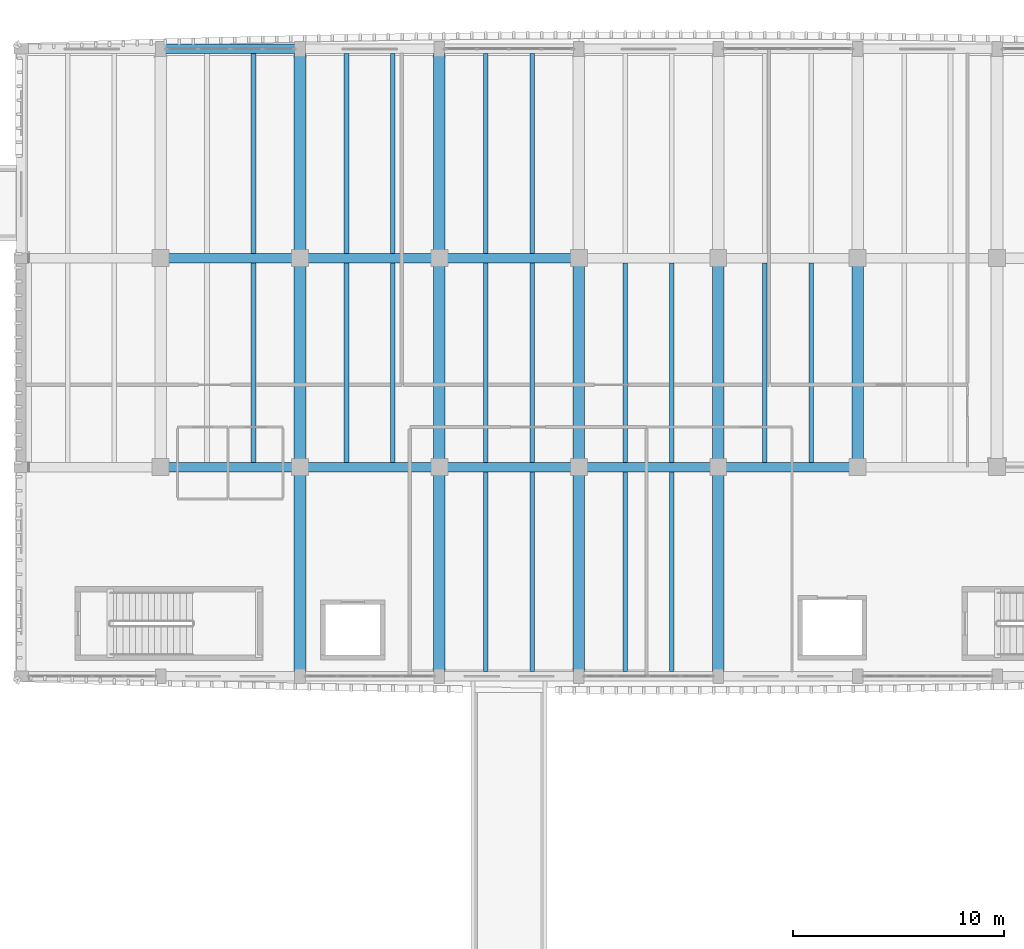
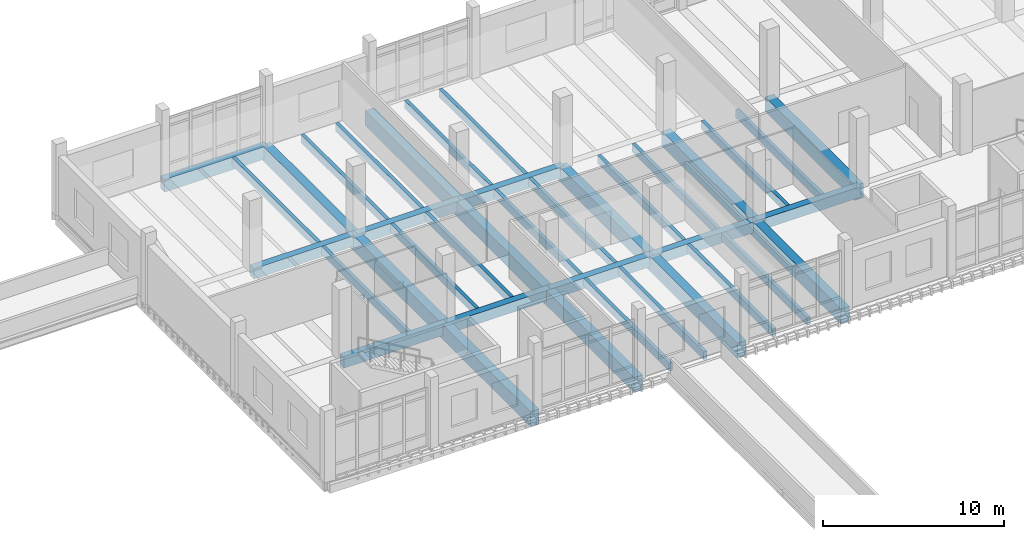
# One storey, part 43 of 101: 38 beams.
"""IFC4 building model written with IfcOpenShell, lengths in metres."""

from ifc_helpers import new_model, si_unit, direction, frame, origin, origin_2d, place, context, subcontext, project, spatial, rectangle, extrude, material, material_profile, profile_set, type_object, element, save


model = new_model("IFC4")

# Units and contexts
model_context = context("Model", 3, precision=1e-05, world=origin(), true_north=direction((0.0, 1.0)))
body_context = subcontext(model_context, "Body", "Model", "MODEL_VIEW")
ifc_project = project(units=[si_unit("LENGTHUNIT", "METRE"), si_unit("AREAUNIT", "SQUARE_METRE"), si_unit("VOLUMEUNIT", "CUBIC_METRE"), si_unit("PLANEANGLEUNIT", "RADIAN"), si_unit("MASSUNIT", "GRAM", prefix="KILO")], contexts=[model_context])

# Site, building, storey
site_placement = place(None, origin())
site = spatial("IfcSite", under=ifc_project, at=site_placement, CompositionType="ELEMENT")
building_placement = place(site_placement, origin())
building = spatial("IfcBuilding", under=site, at=building_placement, Name="Dornvale Research Institute", CompositionType="ELEMENT")
storey_placement = place(building_placement, frame((0.0, 0.0, 10.199951171875)))
storey = spatial("IfcBuildingStorey", under=building, at=storey_placement, Name="L02", CompositionType="ELEMENT", Elevation=10.199951171875)

# Beams
ifc_material_1 = material(Name="Concrete f'c 45 MPa (C35/45)", Category="concrete")
ifc_material_profile_1 = material_profile(ifc_material_1, rectangle(XDim=0.449951171875, YDim=0.715087890625, at=origin_2d()), Name="RC 450x715")
ifc_profile_set_1 = profile_set([ifc_material_profile_1], Name="Concrete f'c 45 MPa (C35/45)")
beam_type_1 = type_object("IfcBeamType", Name="Beam_RC450x715_Lab", PredefinedType="BEAM", material=ifc_profile_set_1)
for number, where, z_axis, x_axis, name in (
    (1, (125.39990234375, 102.300048828125, -0.357421875), (1.0, 0.0, 0.0), (0.0, 1.0, 0.0), "L02 primary girder #645"),
    (2, (132.0, 102.300048828125, -0.357421875), (1.0, 0.0, 0.0), (0.0, 1.0, 0.0), "L02 primary girder #646"),
):
    element("IfcBeam", number, at=place(storey_placement, frame(where, z_axis=z_axis, x_axis=x_axis)), inside=storey, type_object=beam_type_1, Name=name, PredefinedType="BEAM", context=body_context, shape_type="SweptSolid", body=[
        extrude(rectangle(XDim=0.449951171875, YDim=0.715087890625, at=origin_2d()), origin(), (0.0, 0.0, 1.0), 6.60009765625),
    ])
beam_1_placement = place(storey_placement, frame((138.60009765625, 102.300048828125, -0.357421875), z_axis=(1.0, 0.0, 0.0), x_axis=(0.0, 1.0, 0.0)))
element("IfcBeam", 3, at=beam_1_placement, inside=storey, type_object=beam_type_1, Name="L02 primary girder #647", PredefinedType="BEAM", context=body_context, shape_type="SweptSolid", body=[
    extrude(rectangle(XDim=0.449951171875, YDim=0.715087890625, at=origin_2d()), origin(), (0.0, 0.0, 1.0), 6.599853515625),
])
beam_2_placement = place(storey_placement, frame((145.199951171875, 102.300048828125, -0.357421875), z_axis=(1.0, 0.0, 0.0), x_axis=(0.0, 1.0, 0.0)))
element("IfcBeam", 4, at=beam_2_placement, inside=storey, type_object=beam_type_1, Name="L02 primary girder #648", PredefinedType="BEAM", context=body_context, shape_type="SweptSolid", body=[
    extrude(rectangle(XDim=0.449951171875, YDim=0.715087890625, at=origin_2d()), origin(), (0.0, 0.0, 1.0), 6.60009765625),
])
beam_3_placement = place(storey_placement, frame((151.800048828125, 102.300048828125, -0.357421875), z_axis=(1.0, 0.0, 0.0), x_axis=(0.0, 1.0, 0.0)))
element("IfcBeam", 5, at=beam_3_placement, inside=storey, type_object=beam_type_1, Name="L02 primary girder #649", PredefinedType="BEAM", context=body_context, shape_type="SweptSolid", body=[
    extrude(rectangle(XDim=0.449951171875, YDim=0.715087890625, at=origin_2d()), origin(), (0.0, 0.0, 1.0), 6.599853515625),
])
for number, where, z_axis, x_axis, name in (
    (6, (125.39990234375, 112.199951171875, -0.357421875), (1.0, 0.0, 0.0), (0.0, 1.0, 0.0), "L02 primary girder #654"),
    (7, (132.0, 112.199951171875, -0.357421875), (1.0, 0.0, 0.0), (0.0, 1.0, 0.0), "L02 primary girder #655"),
):
    element("IfcBeam", number, at=place(storey_placement, frame(where, z_axis=z_axis, x_axis=x_axis)), inside=storey, type_object=beam_type_1, Name=name, PredefinedType="BEAM", context=body_context, shape_type="SweptSolid", body=[
        extrude(rectangle(XDim=0.449951171875, YDim=0.715087890625, at=origin_2d()), origin(), (0.0, 0.0, 1.0), 6.60009765625),
    ])
beam_4_placement = place(storey_placement, frame((138.60009765625, 112.199951171875, -0.357421875), z_axis=(1.0, 0.0, 0.0), x_axis=(0.0, 1.0, 0.0)))
element("IfcBeam", 8, at=beam_4_placement, inside=storey, type_object=beam_type_1, Name="L02 primary girder #656", PredefinedType="BEAM", context=body_context, shape_type="SweptSolid", body=[
    extrude(rectangle(XDim=0.449951171875, YDim=0.715087890625, at=origin_2d()), origin(), (0.0, 0.0, 1.0), 6.599853515625),
])
ifc_material_2 = material(Name="Concrete f'c 45 MPa (C35/45)", Category="concrete")
ifc_material_profile_2 = material_profile(ifc_material_2, rectangle(XDim=0.550048828125, YDim=1.0, at=origin_2d()), Name="RC 550x1000")
ifc_profile_set_2 = profile_set([ifc_material_profile_2], Name="Concrete f'c 45 MPa (C35/45)")
beam_type_2 = type_object("IfcBeamType", Name="Beam_RC550x1000_Girder", PredefinedType="BEAM", material=ifc_profile_set_2)
beam_5_placement = place(storey_placement, frame((132.0, 92.39990234375, -0.5), z_axis=(0.0, 1.0, 0.0), x_axis=(-1.0, 0.0, 0.0)))
element("IfcBeam", 9, at=beam_5_placement, inside=storey, type_object=beam_type_2, Name="L02 transverse girder #676", PredefinedType="BEAM", context=body_context, shape_type="SweptSolid", body=[
    extrude(rectangle(XDim=0.550048828125, YDim=1.0, at=origin_2d()), origin(), (0.0, 0.0, 1.0), 9.900146484375),
])
beam_6_placement = place(storey_placement, frame((132.0, 102.300048828125, -0.5), z_axis=(0.0, 1.0, 0.0), x_axis=(-1.0, 0.0, 0.0)))
element("IfcBeam", 10, at=beam_6_placement, inside=storey, type_object=beam_type_2, Name="L02 transverse girder #677", PredefinedType="BEAM", context=body_context, shape_type="SweptSolid", body=[
    extrude(rectangle(XDim=0.550048828125, YDim=1.0, at=origin_2d()), origin(), (0.0, 0.0, 1.0), 9.89990234375),
])
for number, where, z_axis, x_axis, name in (
    (11, (132.0, 112.199951171875, -0.5), (0.0, 1.0, 0.0), (-1.0, 0.0, 0.0), "L02 transverse girder #678"),
    (12, (138.60009765625, 92.39990234375, -0.5), (0.0, 1.0, 0.0), (-1.0, 0.0, 0.0), "L02 transverse girder #679"),
):
    element("IfcBeam", number, at=place(storey_placement, frame(where, z_axis=z_axis, x_axis=x_axis)), inside=storey, type_object=beam_type_2, Name=name, PredefinedType="BEAM", context=body_context, shape_type="SweptSolid", body=[
        extrude(rectangle(XDim=0.550048828125, YDim=1.0, at=origin_2d()), origin(), (0.0, 0.0, 1.0), 9.900146484375),
    ])
beam_7_placement = place(storey_placement, frame((138.60009765625, 102.300048828125, -0.5), z_axis=(0.0, 1.0, 0.0), x_axis=(-1.0, 0.0, 0.0)))
element("IfcBeam", 13, at=beam_7_placement, inside=storey, type_object=beam_type_2, Name="L02 transverse girder #680", PredefinedType="BEAM", context=body_context, shape_type="SweptSolid", body=[
    extrude(rectangle(XDim=0.550048828125, YDim=1.0, at=origin_2d()), origin(), (0.0, 0.0, 1.0), 9.89990234375),
])
for number, where, z_axis, x_axis, name in (
    (14, (138.60009765625, 112.199951171875, -0.5), (0.0, 1.0, 0.0), (-1.0, 0.0, 0.0), "L02 transverse girder #681"),
    (15, (145.199951171875, 92.39990234375, -0.5), (0.0, 1.0, 0.0), (-1.0, 0.0, 0.0), "L02 transverse girder #682"),
):
    element("IfcBeam", number, at=place(storey_placement, frame(where, z_axis=z_axis, x_axis=x_axis)), inside=storey, type_object=beam_type_2, Name=name, PredefinedType="BEAM", context=body_context, shape_type="SweptSolid", body=[
        extrude(rectangle(XDim=0.550048828125, YDim=1.0, at=origin_2d()), origin(), (0.0, 0.0, 1.0), 9.900146484375),
    ])
beam_8_placement = place(storey_placement, frame((145.199951171875, 102.300048828125, -0.5), z_axis=(0.0, 1.0, 0.0), x_axis=(-1.0, 0.0, 0.0)))
element("IfcBeam", 16, at=beam_8_placement, inside=storey, type_object=beam_type_2, Name="L02 transverse girder #683", PredefinedType="BEAM", context=body_context, shape_type="SweptSolid", body=[
    extrude(rectangle(XDim=0.550048828125, YDim=1.0, at=origin_2d()), origin(), (0.0, 0.0, 1.0), 9.89990234375),
])
beam_9_placement = place(storey_placement, frame((151.800048828125, 92.39990234375, -0.5), z_axis=(0.0, 1.0, 0.0), x_axis=(-1.0, 0.0, 0.0)))
element("IfcBeam", 17, at=beam_9_placement, inside=storey, type_object=beam_type_2, Name="L02 transverse girder #685", PredefinedType="BEAM", context=body_context, shape_type="SweptSolid", body=[
    extrude(rectangle(XDim=0.550048828125, YDim=1.0, at=origin_2d()), origin(), (0.0, 0.0, 1.0), 9.900146484375),
])
for number, where, z_axis, x_axis, name in (
    (18, (151.800048828125, 102.300048828125, -0.5), (0.0, 1.0, 0.0), (-1.0, 0.0, 0.0), "L02 transverse girder #686"),
    (19, (158.39990234375, 102.300048828125, -0.5), (0.0, 1.0, 0.0), (-1.0, 0.0, 0.0), "L02 transverse girder #688"),
):
    element("IfcBeam", number, at=place(storey_placement, frame(where, z_axis=z_axis, x_axis=x_axis)), inside=storey, type_object=beam_type_2, Name=name, PredefinedType="BEAM", context=body_context, shape_type="SweptSolid", body=[
        extrude(rectangle(XDim=0.550048828125, YDim=1.0, at=origin_2d()), origin(), (0.0, 0.0, 1.0), 9.89990234375),
    ])
ifc_material_3 = material(Name="Concrete f'c 45 MPa (C35/45)", Category="concrete")
ifc_material_profile_3 = material_profile(ifc_material_3, rectangle(XDim=0.219970703125, YDim=0.534912109375, at=origin_2d()), Name="RC 220x535")
ifc_profile_set_3 = profile_set([ifc_material_profile_3], Name="Concrete f'c 45 MPa (C35/45)")
beam_type_3 = type_object("IfcBeamType", Name="Joist_RC220x535_Waffle", PredefinedType="JOIST", material=ifc_profile_set_3)
beam_10_placement = place(storey_placement, frame((129.800048828125, 102.52490234375, -0.267333984375), z_axis=(0.0, 1.0, 0.0), x_axis=(-1.0, 0.0, 0.0)))
element("IfcBeam", 20, at=beam_10_placement, inside=storey, type_object=beam_type_3, Name="L02 laboratory waffle joist #319", PredefinedType="JOIST", context=body_context, shape_type="SweptSolid", body=[
    extrude(rectangle(XDim=0.219970703125, YDim=0.534912109375, at=origin_2d()), origin(), (0.0, 0.0, 1.0), 9.4501953125),
])
beam_11_placement = place(storey_placement, frame((129.800048828125, 112.425048828125, -0.267333984375), z_axis=(0.0, 1.0, 0.0), x_axis=(-1.0, 0.0, 0.0)))
element("IfcBeam", 21, at=beam_11_placement, inside=storey, type_object=beam_type_3, Name="L02 laboratory waffle joist #321", PredefinedType="JOIST", context=body_context, shape_type="SweptSolid", body=[
    extrude(rectangle(XDim=0.219970703125, YDim=0.534912109375, at=origin_2d()), origin(), (0.0, 0.0, 1.0), 9.449951171875),
])
for number, where, z_axis, x_axis, name in (
    (22, (134.199951171875, 102.52490234375, -0.267333984375), (0.0, 1.0, 0.0), (-1.0, 0.0, 0.0), "L02 laboratory waffle joist #322"),
    (23, (136.39990234375, 102.52490234375, -0.267333984375), (0.0, 1.0, 0.0), (-1.0, 0.0, 0.0), "L02 laboratory waffle joist #323"),
):
    element("IfcBeam", number, at=place(storey_placement, frame(where, z_axis=z_axis, x_axis=x_axis)), inside=storey, type_object=beam_type_3, Name=name, PredefinedType="JOIST", context=body_context, shape_type="SweptSolid", body=[
        extrude(rectangle(XDim=0.219970703125, YDim=0.534912109375, at=origin_2d()), origin(), (0.0, 0.0, 1.0), 9.4501953125),
    ])
for number, where, z_axis, x_axis, name in (
    (24, (134.199951171875, 112.425048828125, -0.267333984375), (0.0, 1.0, 0.0), (-1.0, 0.0, 0.0), "L02 laboratory waffle joist #324"),
    (25, (136.39990234375, 112.425048828125, -0.267333984375), (0.0, 1.0, 0.0), (-1.0, 0.0, 0.0), "L02 laboratory waffle joist #325"),
    (26, (140.800048828125, 92.625, -0.267333984375), (0.0, 1.0, 0.0), (-1.0, 0.0, 0.0), "L02 laboratory waffle joist #326"),
    (27, (143.0, 92.625, -0.267333984375), (0.0, 1.0, 0.0), (-1.0, 0.0, 0.0), "L02 laboratory waffle joist #327"),
):
    element("IfcBeam", number, at=place(storey_placement, frame(where, z_axis=z_axis, x_axis=x_axis)), inside=storey, type_object=beam_type_3, Name=name, PredefinedType="JOIST", context=body_context, shape_type="SweptSolid", body=[
        extrude(rectangle(XDim=0.219970703125, YDim=0.534912109375, at=origin_2d()), origin(), (0.0, 0.0, 1.0), 9.449951171875),
    ])
for number, where, z_axis, x_axis, name in (
    (28, (140.800048828125, 102.52490234375, -0.267333984375), (0.0, 1.0, 0.0), (-1.0, 0.0, 0.0), "L02 laboratory waffle joist #328"),
    (29, (143.0, 102.52490234375, -0.267333984375), (0.0, 1.0, 0.0), (-1.0, 0.0, 0.0), "L02 laboratory waffle joist #329"),
):
    element("IfcBeam", number, at=place(storey_placement, frame(where, z_axis=z_axis, x_axis=x_axis)), inside=storey, type_object=beam_type_3, Name=name, PredefinedType="JOIST", context=body_context, shape_type="SweptSolid", body=[
        extrude(rectangle(XDim=0.219970703125, YDim=0.534912109375, at=origin_2d()), origin(), (0.0, 0.0, 1.0), 9.4501953125),
    ])
for number, where, z_axis, x_axis, name in (
    (30, (140.800048828125, 112.425048828125, -0.267333984375), (0.0, 1.0, 0.0), (-1.0, 0.0, 0.0), "L02 laboratory waffle joist #330"),
    (31, (143.0, 112.425048828125, -0.267333984375), (0.0, 1.0, 0.0), (-1.0, 0.0, 0.0), "L02 laboratory waffle joist #331"),
    (32, (147.39990234375, 92.625, -0.267333984375), (0.0, 1.0, 0.0), (-1.0, 0.0, 0.0), "L02 laboratory waffle joist #332"),
    (33, (149.60009765625, 92.625, -0.267333984375), (0.0, 1.0, 0.0), (-1.0, 0.0, 0.0), "L02 laboratory waffle joist #333"),
):
    element("IfcBeam", number, at=place(storey_placement, frame(where, z_axis=z_axis, x_axis=x_axis)), inside=storey, type_object=beam_type_3, Name=name, PredefinedType="JOIST", context=body_context, shape_type="SweptSolid", body=[
        extrude(rectangle(XDim=0.219970703125, YDim=0.534912109375, at=origin_2d()), origin(), (0.0, 0.0, 1.0), 9.449951171875),
    ])
for number, where, z_axis, x_axis, name in (
    (34, (147.39990234375, 102.52490234375, -0.267333984375), (0.0, 1.0, 0.0), (-1.0, 0.0, 0.0), "L02 laboratory waffle joist #334"),
    (35, (149.60009765625, 102.52490234375, -0.267333984375), (0.0, 1.0, 0.0), (-1.0, 0.0, 0.0), "L02 laboratory waffle joist #335"),
    (36, (154.0, 102.52490234375, -0.267333984375), (0.0, 1.0, 0.0), (-1.0, 0.0, 0.0), "L02 laboratory waffle joist #338"),
    (37, (156.199951171875, 102.52490234375, -0.267333984375), (0.0, 1.0, 0.0), (-1.0, 0.0, 0.0), "L02 laboratory waffle joist #339"),
):
    element("IfcBeam", number, at=place(storey_placement, frame(where, z_axis=z_axis, x_axis=x_axis)), inside=storey, type_object=beam_type_3, Name=name, PredefinedType="JOIST", context=body_context, shape_type="SweptSolid", body=[
        extrude(rectangle(XDim=0.219970703125, YDim=0.534912109375, at=origin_2d()), origin(), (0.0, 0.0, 1.0), 9.4501953125),
    ])
ifc_material_4 = material(Name="Concrete f'c 45 MPa (C35/45)", Category="concrete")
ifc_material_profile_4 = material_profile(ifc_material_4, rectangle(XDim=0.449951171875, YDim=0.85009765625, at=origin_2d()), Name="RC 450x850")
ifc_profile_set_4 = profile_set([ifc_material_profile_4], Name="Concrete f'c 45 MPa (C35/45)")
beam_type_4 = type_object("IfcBeamType", Name="Spandrel_RC450x850_Ext", PredefinedType="SPANDREL", material=ifc_profile_set_4)
beam_12_placement = place(storey_placement, frame((125.39990234375, 122.10009765625, -0.425048828125), z_axis=(1.0, 0.0, 0.0), x_axis=(0.0, 1.0, 0.0)))
element("IfcBeam", 38, at=beam_12_placement, inside=storey, type_object=beam_type_4, Name="L02 perimeter spandrel #663", PredefinedType="SPANDREL", context=body_context, shape_type="SweptSolid", body=[
    extrude(rectangle(XDim=0.449951171875, YDim=0.85009765625, at=origin_2d()), origin(), (0.0, 0.0, 1.0), 6.60009765625),
])

save(model, "model.ifc")
